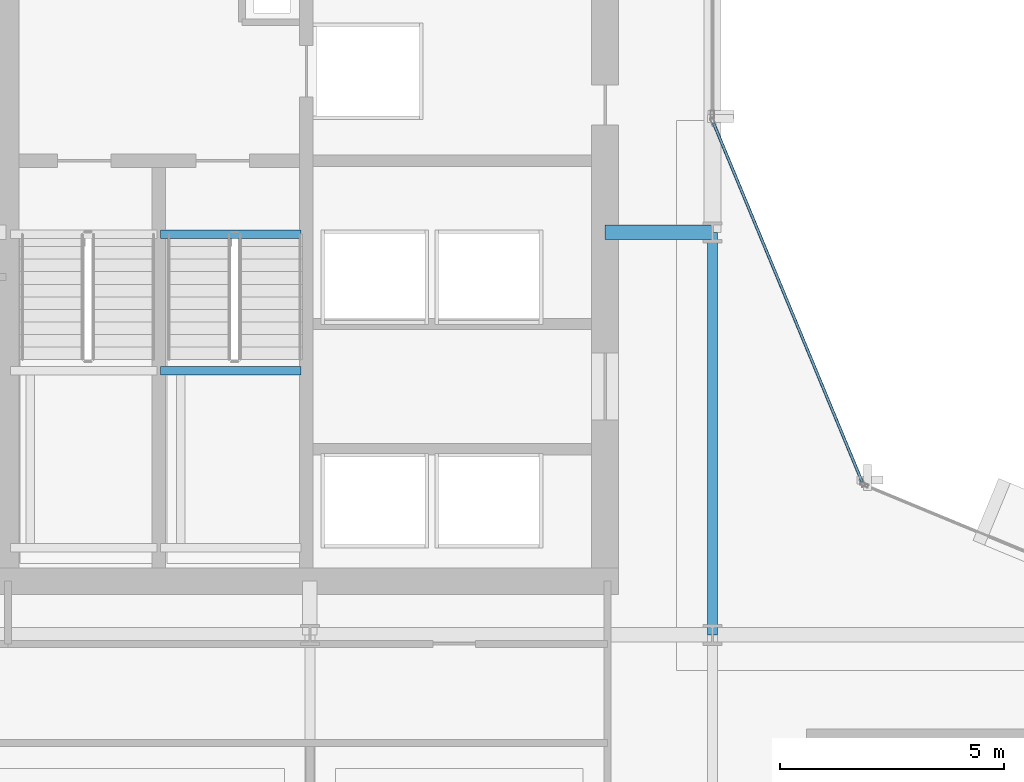
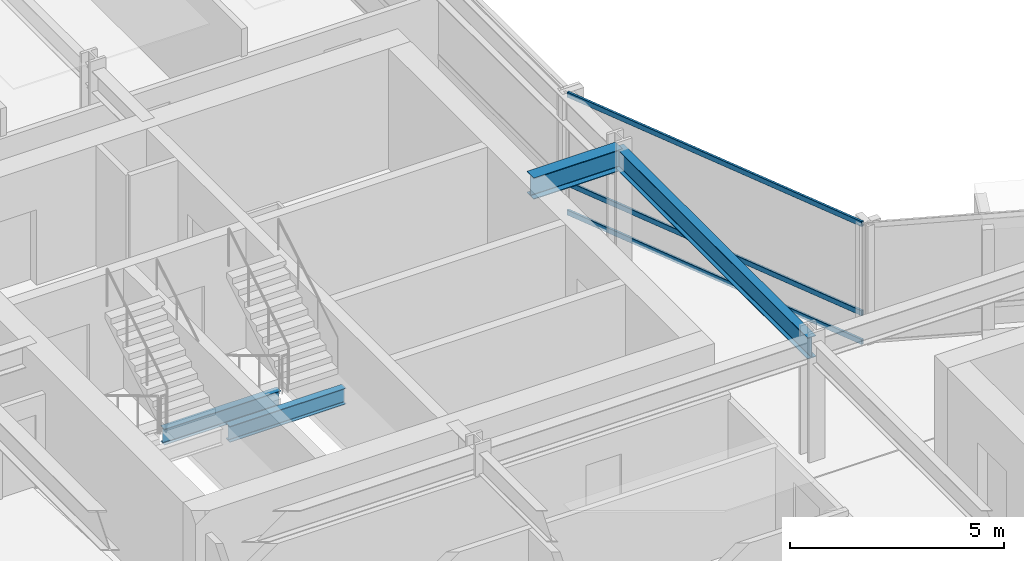
# One storey, part 20 of 34: 4 beams, 3 members, 1 element without a shape of its own.
"""IFC4 building model written with IfcOpenShell, lengths in metres."""

from ifc_helpers import new_model, si_unit, direction, frame, origin, origin_2d, place, context, subcontext, project, spatial, hollow_rectangle, i_section, extrude, material, layer, layer_set, material_profile, profile_set, type_object, element, aggregate, save


model = new_model("IFC4")

# Units and contexts
model_context = context("Model", 3, precision=1e-05, world=origin(), true_north=direction((0.0, 1.0)))
body_context = subcontext(model_context, "Body", "Model", "MODEL_VIEW")
ifc_project = project(units=[si_unit("LENGTHUNIT", "METRE"), si_unit("AREAUNIT", "SQUARE_METRE"), si_unit("VOLUMEUNIT", "CUBIC_METRE"), si_unit("PLANEANGLEUNIT", "RADIAN"), si_unit("MASSUNIT", "GRAM", prefix="KILO")], contexts=[model_context])

# Site, building, storey
site_placement = place(None, origin())
site = spatial("IfcSite", under=ifc_project, at=site_placement, CompositionType="ELEMENT")
building_placement = place(site_placement, origin())
building = spatial("IfcBuilding", under=site, at=building_placement, Name="Solvaryn Broadcast Tower", CompositionType="ELEMENT")
storey_placement = place(building_placement, frame((0.0, 0.0, 89.10009765625)))
storey = spatial("IfcBuildingStorey", under=building, at=storey_placement, Name="L21", CompositionType="ELEMENT", Elevation=89.10009765625)

# Beams
ifc_material_1 = material(Name="Steel ASTM A992 Grade 50", Category="steel")
ifc_material_profile_1 = material_profile(ifc_material_1, i_section(OverallWidth=0.323974609375, OverallDepth=0.611083984375, WebThickness=0.0126953125, FlangeThickness=0.01904296875, FilletRadius=0.014892578125, at=origin_2d()))
ifc_profile_set_1 = profile_set([ifc_material_profile_1], Name="Steel ASTM A992 Grade 50")
beam_type_1 = type_object("IfcBeamType", Name="BM-B1-W24X104", PredefinedType="BEAM", material=ifc_profile_set_1)
beam_1_placement = place(storey_placement, frame((24.60009765625, 36.0, 3.114501953125), z_axis=(1.0, 0.0, 0.0), x_axis=(0.0, 1.0, 0.0)))
element("IfcBeam", 1, at=beam_1_placement, inside=storey, type_object=beam_type_1, Name="L21 Core Tie Beam CTW2", PredefinedType="BEAM", context=body_context, shape_type="SweptSolid", body=[
    extrude(i_section(OverallWidth=0.323974609375, OverallDepth=0.611083984375, WebThickness=0.0126953125, FlangeThickness=0.01904296875, FilletRadius=0.014892578125, at=origin_2d()), origin(), (0.0, 0.0, 1.0), 2.39990234375),
])
ifc_material_2 = material(Name="Steel ASTM A992 Grade 50", Category="steel")
ifc_material_profile_2 = material_profile(ifc_material_2, i_section(OverallWidth=0.22802734375, OverallDepth=0.60791015625, WebThickness=0.01123046875, FlangeThickness=0.017333984375, FilletRadius=0.014892578125, at=origin_2d()))
ifc_profile_set_2 = profile_set([ifc_material_profile_2], Name="Steel ASTM A992 Grade 50")
beam_type_2 = type_object("IfcBeamType", Name="BM-B2-W24X76", PredefinedType="BEAM", material=ifc_profile_set_2)
beam_2_placement = place(storey_placement, frame((27.0, 27.0, 3.115966796875), z_axis=(0.0, 1.0, 0.0), x_axis=(-1.0, 0.0, 0.0)))
element("IfcBeam", 2, at=beam_2_placement, inside=storey, type_object=beam_type_2, Name="L21 Primary Beam Y (27-36 @ X=27)", PredefinedType="BEAM", context=body_context, shape_type="SweptSolid", body=[
    extrude(i_section(OverallWidth=0.22802734375, OverallDepth=0.60791015625, WebThickness=0.01123046875, FlangeThickness=0.017333984375, FilletRadius=0.014892578125, at=origin_2d()), origin(), (0.0, 0.0, 1.0), 9.0),
])
ifc_material_3 = material(Name="Steel ASTM A992 Grade 50", Category="steel")
ifc_material_profile_3 = material_profile(ifc_material_3, i_section(OverallWidth=0.18994140625, OverallDepth=0.45703125, WebThickness=0.009033203125, FlangeThickness=0.014404296875, FilletRadius=0.011962890625, at=origin_2d()))
ifc_profile_set_3 = profile_set([ifc_material_profile_3], Name="Steel ASTM A992 Grade 50")
beam_type_3 = type_object("IfcBeamType", Name="BM-B4-W18X50", PredefinedType="BEAM", material=ifc_profile_set_3)
for number, where, z_axis, x_axis, name in (
    (3, (14.659912109375, 35.9599609375, -0.508544921875), (1.0, 0.0, 0.0), (0.0, 1.0, 0.0), "L21 ST2 Stair Well Trimmer Beam"),
    (4, (14.659912109375, 32.909912109375, 1.42138671875), (1.0, 0.0, 0.0), (0.0, 1.0, 0.0), "L21 ST2 Landing Support Beam 1B"),
):
    element("IfcBeam", number, at=place(storey_placement, frame(where, z_axis=z_axis, x_axis=x_axis)), inside=storey, type_object=beam_type_3, Name=name, PredefinedType="BEAM", context=body_context, shape_type="SweptSolid", body=[
        extrude(i_section(OverallWidth=0.18994140625, OverallDepth=0.45703125, WebThickness=0.009033203125, FlangeThickness=0.014404296875, FilletRadius=0.011962890625, at=origin_2d()), origin(), (0.0, 0.0, 1.0), 3.14013671875),
    ])

# Curtain wall, members
ifc_material_4 = material(Name="Aluminium and Terracotta Unitised Curtain Wall", Category="masonry")
ifc_layer = layer(ifc_material_4, 0.199951171875)
ifc_layer_set = layer_set([ifc_layer], Name="CW-SYS2-LOWMID")
curtain_wall_type = type_object("IfcCurtainWallType", Name="CW-SYS2-LOWMID", PredefinedType="NOTDEFINED", material=ifc_layer_set)
curtain_wall_placement = place(storey_placement, origin())
curtain_wall = element("IfcCurtainWall", 5, at=curtain_wall_placement, inside=storey, type_object=curtain_wall_type, Name="L21 Curtain Wall CN2", PredefinedType="NOTDEFINED")
ifc_material_5 = material(Name="Anodised Aluminium 6063-T6", Category="aluminium")
ifc_material_profile_4 = material_profile(ifc_material_5, hollow_rectangle(XDim=0.06494140625, YDim=0.14990234375, WallThickness=0.00390625, InnerFilletRadius=0.00390625, OuterFilletRadius=0.008056640625, at=origin_2d()))
ifc_profile_set_4 = profile_set([ifc_material_profile_4], Name="Anodised Aluminium 6063-T6")
member_type = type_object("IfcMemberType", Name="CW-TRN-150", PredefinedType="USERDEFINED", material=ifc_profile_set_4)
member_1_placement = place(storey_placement, frame((30.344970703125, 30.42333984375, 0.02978515625), z_axis=(-0.382635748975, 0.923899282177, 0.0), x_axis=(-0.923899282177, -0.382635748975, 0.0)))
member_1 = element("IfcMember", 6, at=member_1_placement, type_object=member_type, Name="CWS2 transom 1.1", ObjectType="TRANSOM", PredefinedType="USERDEFINED", context=body_context, shape_type="SweptSolid", body=[
    extrude(hollow_rectangle(XDim=0.06494140625, YDim=0.14990234375, WallThickness=0.00390625, InnerFilletRadius=0.00390625, OuterFilletRadius=0.008056640625, at=origin_2d()), origin(), (0.0, 0.0, 1.0), 8.681884765625),
])
member_2_placement = place(storey_placement, frame((30.344970703125, 30.42333984375, 0.849853515625), z_axis=(-0.382635748975, 0.923899282177, 0.0), x_axis=(-0.923899282177, -0.382635748975, 0.0)))
member_2 = element("IfcMember", 7, at=member_2_placement, type_object=member_type, Name="CWS2 transom 1.2", ObjectType="TRANSOM", PredefinedType="USERDEFINED", context=body_context, shape_type="SweptSolid", body=[
    extrude(hollow_rectangle(XDim=0.06494140625, YDim=0.14990234375, WallThickness=0.00390625, InnerFilletRadius=0.00390625, OuterFilletRadius=0.008056640625, at=origin_2d()), origin(), (0.0, 0.0, 1.0), 8.681884765625),
])
member_3_placement = place(storey_placement, frame((30.344970703125, 30.42333984375, 3.389892578125), z_axis=(-0.382635748975, 0.923899282177, 0.0), x_axis=(-0.923899282177, -0.382635748975, 0.0)))
member_3 = element("IfcMember", 8, at=member_3_placement, type_object=member_type, Name="CWS2 transom 1.3", ObjectType="TRANSOM", PredefinedType="USERDEFINED", context=body_context, shape_type="SweptSolid", body=[
    extrude(hollow_rectangle(XDim=0.06494140625, YDim=0.14990234375, WallThickness=0.00390625, InnerFilletRadius=0.00390625, OuterFilletRadius=0.008056640625, at=origin_2d()), origin(), (0.0, 0.0, 1.0), 8.681884765625),
])
aggregate(curtain_wall, [member_1, member_2, member_3])

save(model, "model.ifc")
